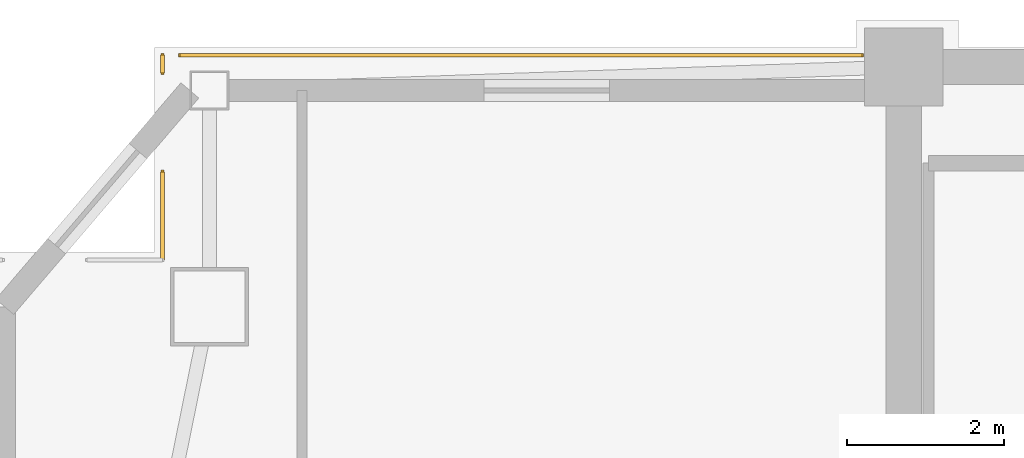
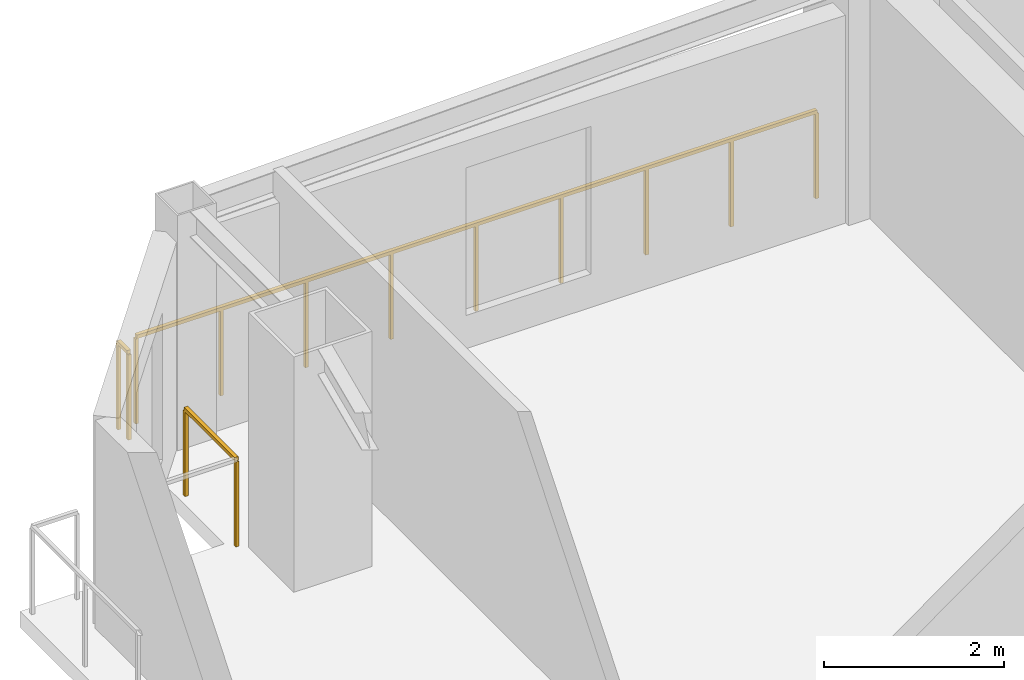
# One storey, part 16 of 17: 3 railings.
"""IFC4 building model written with IfcOpenShell, lengths in metres."""

from ifc_helpers import new_model, si_unit, direction, frame, origin, origin_2d, place, context, subcontext, project, spatial, rectangle, extrude, material, type_object, element, save


model = new_model("IFC4")

# Units and contexts
model_context = context("Model", 3, precision=1e-05, world=origin(), true_north=direction((0.0, 1.0)))
body_context = subcontext(model_context, "Body", "Model", "MODEL_VIEW")
ifc_project = project(units=[si_unit("LENGTHUNIT", "METRE"), si_unit("AREAUNIT", "SQUARE_METRE"), si_unit("VOLUMEUNIT", "CUBIC_METRE"), si_unit("PLANEANGLEUNIT", "RADIAN"), si_unit("MASSUNIT", "GRAM", prefix="KILO")], contexts=[model_context])

# Site, building, storey
site_placement = place(None, origin())
site = spatial("IfcSite", under=ifc_project, at=site_placement, CompositionType="ELEMENT")
building_placement = place(site_placement, origin())
building = spatial("IfcBuilding", under=site, at=building_placement, Name="Giltprow Tower", CompositionType="ELEMENT")
storey_placement = place(building_placement, frame((0.0, 0.0, 251.89990234375)))
storey = spatial("IfcBuildingStorey", under=building, at=storey_placement, Name="L64", CompositionType="ELEMENT", Elevation=251.89990234375)

# Railings
ifc_material = material(Name="Anodized bronze", Category="metal")
railing_type = type_object("IfcRailingType", Name="RAIL-BALC-GUARD-1200", PredefinedType="BALUSTRADE", material=ifc_material)
railing_1_placement = place(storey_placement, frame((10.37890625, 44.083984375, 0.0)))
element("IfcRailing", 1, at=railing_1_placement, inside=storey, type_object=railing_type, Name="L64 Corner Apron Edge Balustrade 16", PredefinedType="BALUSTRADE", context=body_context, shape_type="SweptSolid", body=[
    extrude(rectangle(XDim=0.048095703125, YDim=0.048095703125, at=origin_2d()), frame((0.0, 0.0, 1.17578125), z_axis=(0.0, 1.0, 0.0), x_axis=(-1.0, 0.0, 0.0)), (0.0, 0.0, 1.0), 1.1259765625),
    extrude(rectangle(XDim=0.0419921875, YDim=0.0419921875, at=origin_2d()), origin(), (0.0, 0.0, 1.0), 1.15185546875),
    extrude(rectangle(XDim=0.0419921875, YDim=0.0419921875, at=origin_2d()), frame((0.0, 1.1259765625, 0.0)), (0.0, 0.0, 1.0), 1.15185546875),
])
railing_2_placement = place(storey_placement, frame((10.37890625, 46.471923828125, 0.0)))
element("IfcRailing", 2, at=railing_2_placement, inside=storey, type_object=railing_type, Name="L64 Corner Apron Edge Balustrade 17", PredefinedType="BALUSTRADE", context=body_context, shape_type="SweptSolid", body=[
    extrude(rectangle(XDim=0.048095703125, YDim=0.048095703125, at=origin_2d()), frame((0.0, 0.0, 1.17578125), z_axis=(0.0, 1.0, 0.0), x_axis=(-1.0, 0.0, 0.0)), (0.0, 0.0, 1.0), 0.22802734375),
    extrude(rectangle(XDim=0.0419921875, YDim=0.0419921875, at=origin_2d()), origin(), (0.0, 0.0, 1.0), 1.15185546875),
    extrude(rectangle(XDim=0.0419921875, YDim=0.0419921875, at=origin_2d()), frame((0.0, 0.22802734375, 0.0)), (0.0, 0.0, 1.0), 1.15185546875),
])
railing_3_placement = place(storey_placement, frame((10.60302734375, 46.699951171875, 0.0)))
element("IfcRailing", 3, at=railing_3_placement, inside=storey, type_object=railing_type, Name="L64 Corner Apron Edge Balustrade 18", PredefinedType="BALUSTRADE", context=body_context, shape_type="SweptSolid", body=[
    extrude(rectangle(XDim=0.048095703125, YDim=0.048095703125, at=origin_2d()), frame((0.0, 0.0, 1.17578125), z_axis=(1.0, 0.0, 0.0), x_axis=(0.0, 1.0, 0.0)), (0.0, 0.0, 1.0), 8.7119140625),
    extrude(rectangle(XDim=0.0419921875, YDim=0.0419921875, at=origin_2d()), origin(), (0.0, 0.0, 1.0), 1.15185546875),
    extrude(rectangle(XDim=0.0419921875, YDim=0.0419921875, at=origin_2d()), frame((1.0888671875, 0.0, 0.0)), (0.0, 0.0, 1.0), 1.15185546875),
    extrude(rectangle(XDim=0.0419921875, YDim=0.0419921875, at=origin_2d()), frame((2.177978515625, 0.0, 0.0)), (0.0, 0.0, 1.0), 1.15185546875),
    extrude(rectangle(XDim=0.0419921875, YDim=0.0419921875, at=origin_2d()), frame((3.26708984375, 0.0, 0.0)), (0.0, 0.0, 1.0), 1.15185546875),
    extrude(rectangle(XDim=0.0419921875, YDim=0.0419921875, at=origin_2d()), frame((4.35595703125, 0.0, 0.0)), (0.0, 0.0, 1.0), 1.15185546875),
    extrude(rectangle(XDim=0.0419921875, YDim=0.0419921875, at=origin_2d()), frame((5.44482421875, 0.0, 0.0)), (0.0, 0.0, 1.0), 1.15185546875),
    extrude(rectangle(XDim=0.0419921875, YDim=0.0419921875, at=origin_2d()), frame((6.533935546875, 0.0, 0.0)), (0.0, 0.0, 1.0), 1.15185546875),
    extrude(rectangle(XDim=0.0419921875, YDim=0.0419921875, at=origin_2d()), frame((7.623046875, 0.0, 0.0)), (0.0, 0.0, 1.0), 1.15185546875),
    extrude(rectangle(XDim=0.0419921875, YDim=0.0419921875, at=origin_2d()), frame((8.7119140625, 0.0, 0.0)), (0.0, 0.0, 1.0), 1.15185546875),
])

save(model, "model.ifc")
